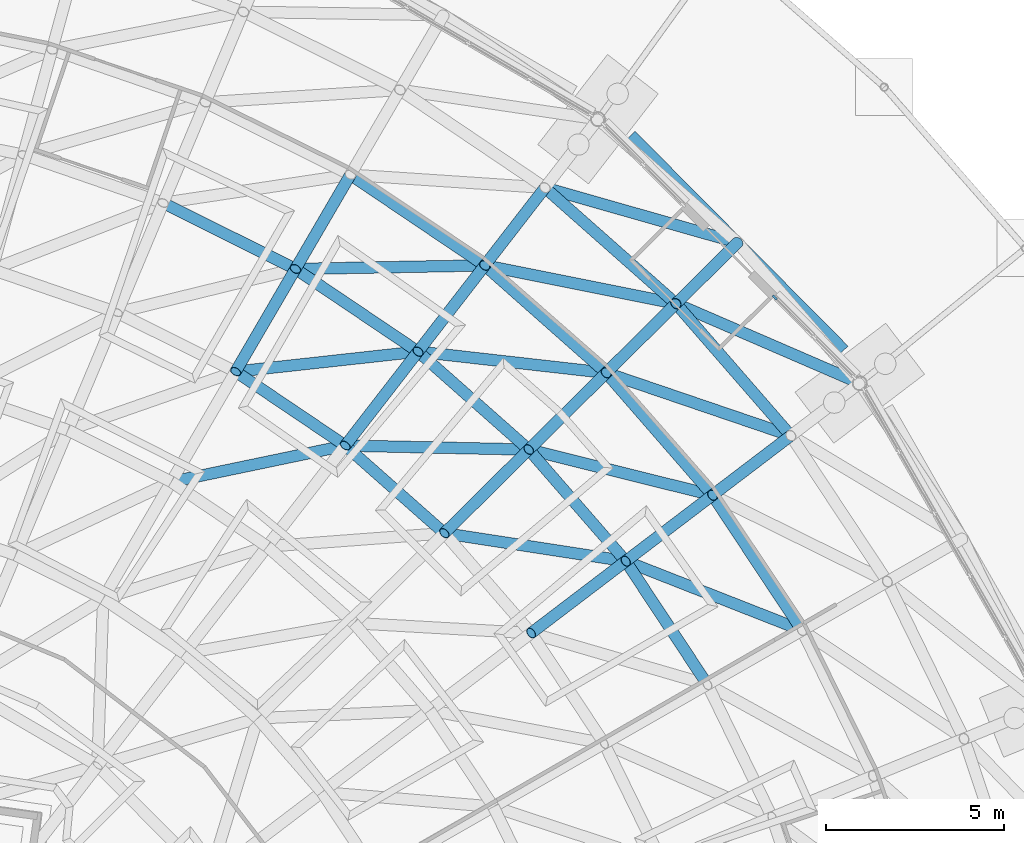
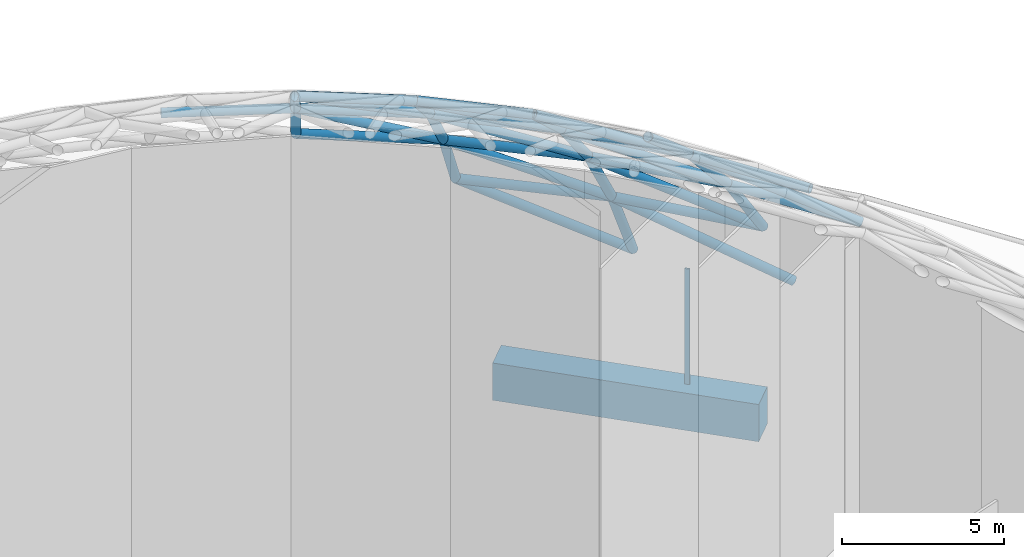
# One storey, part 110 of 226: 38 members, 1 beam, 1 element without a shape of its own.
"""IFC4 building model written with IfcOpenShell, lengths in metres."""

from ifc_helpers import new_model, si_unit, direction, frame, origin, origin_2d, place, context, subcontext, project, spatial, rectangle, hollow_circle, extrude, material, material_profile, profile_set, type_object, element, aggregate, save


model = new_model("IFC4")

# Units and contexts
model_context = context("Model", 3, precision=1e-05, world=origin(), true_north=direction((0.0, 1.0)))
body_context = subcontext(model_context, "Body", "Model", "MODEL_VIEW")
ifc_project = project(units=[si_unit("LENGTHUNIT", "METRE"), si_unit("AREAUNIT", "SQUARE_METRE"), si_unit("VOLUMEUNIT", "CUBIC_METRE"), si_unit("PLANEANGLEUNIT", "RADIAN"), si_unit("MASSUNIT", "GRAM", prefix="KILO")], contexts=[model_context])

# Site, building, storey
site_placement = place(None, origin())
site = spatial("IfcSite", under=ifc_project, at=site_placement, CompositionType="ELEMENT")
building_placement = place(site_placement, origin())
building = spatial("IfcBuilding", under=site, at=building_placement, Name="Ceibo Conservatory and Research Tower", CompositionType="ELEMENT")
storey_placement = place(building_placement, origin())
storey = spatial("IfcBuildingStorey", under=building, at=storey_placement, Name="L00", CompositionType="ELEMENT", Elevation=0.0)

# Members
ifc_material_1 = material(Name="Steel ASTM A500 Gr C", Category="steel")
ifc_material_profile_1 = material_profile(ifc_material_1, hollow_circle(Radius=0.161865234375, WallThickness=0.01025390625, at=origin_2d()), Name="CHS 323.9x10.31")
ifc_profile_set_1 = profile_set([ifc_material_profile_1], Name="Steel ASTM A500 Gr C")
member_type_1 = type_object("IfcMemberType", Name="CHS 323.9x10.31", PredefinedType="NOTDEFINED", material=ifc_profile_set_1)
for number, where, z_axis, x_axis, name in (
    (1, (185.902099609375, 130.738037109375, 8.115966796875), (-0.656151652014, 0.754629054277, 0.0), (-0.754629054277, -0.656151652014, 0.0), "Gridshell member A-C02-05"),
    (2, (182.677978515625, 134.446044921875, 8.115966796875), (-0.748942501444, 0.662634989667, 0.0), (-0.662634989667, -0.748942501444, 0.0), "Gridshell member A-C02-06"),
):
    element("IfcMember", number, at=place(storey_placement, frame(where, z_axis=z_axis, x_axis=x_axis)), inside=storey, type_object=member_type_1, Name=name, PredefinedType="CHORD", context=body_context, shape_type="SweptSolid", body=[
        extrude(hollow_circle(Radius=0.161865234375, WallThickness=0.01025390625, at=origin_2d()), origin(), (0.0, 0.0, 1.0), 4.91357421875),
    ])
member_1_placement = place(storey_placement, frame((186.218017578125, 125.27099609375, 11.489013671875), z_axis=(-0.552011690612, 0.833836370896, 0.0), x_axis=(-0.833836370896, -0.552011690612, 0.0)))
element("IfcMember", 3, at=member_1_placement, inside=storey, type_object=member_type_1, Name="Gridshell member A-C03-04", PredefinedType="CHORD", context=body_context, shape_type="SweptSolid", body=[
    extrude(hollow_circle(Radius=0.161865234375, WallThickness=0.01025390625, at=origin_2d()), origin(), (0.0, 0.0, 1.0), 4.55224609375),
])
for number, where, z_axis, x_axis, name in (
    (4, (183.705078125, 129.06689453125, 11.489013671875), (-0.65607913987, 0.754692097632, 0.0), (-0.754692097632, -0.65607913987, 0.0), "Gridshell member A-C03-05"),
    (5, (180.718017578125, 132.5029296875, 11.489013671875), (-0.748927985579, 0.662651395846, 0.0), (-0.662651395846, -0.748927985579, 0.0), "Gridshell member A-C03-06"),
):
    element("IfcMember", number, at=place(storey_placement, frame(where, z_axis=z_axis, x_axis=x_axis)), inside=storey, type_object=member_type_1, Name=name, PredefinedType="CHORD", context=body_context, shape_type="SweptSolid", body=[
        extrude(hollow_circle(Radius=0.161865234375, WallThickness=0.01025390625, at=origin_2d()), origin(), (0.0, 0.0, 1.0), 4.552978515625),
    ])
member_2_placement = place(storey_placement, frame((177.30810546875, 135.52001953125, 11.489013671875), z_axis=(-0.829018358536, 0.55922138837, 0.0), x_axis=(-0.55922138837, -0.829018358536, 0.0)))
element("IfcMember", 6, at=member_2_placement, inside=storey, type_object=member_type_1, Name="Gridshell member A-C03-07", PredefinedType="CHORD", context=body_context, shape_type="SweptSolid", body=[
    extrude(hollow_circle(Radius=0.161865234375, WallThickness=0.01025390625, at=origin_2d()), origin(), (0.0, 0.0, 1.0), 4.552490234375),
])
member_3_placement = place(storey_placement, frame((183.55908203125, 123.7509765625, 14.591064453125), z_axis=(-0.55190237301, 0.833908730417, 0.0), x_axis=(-0.833908730417, -0.55190237301, 0.0)))
element("IfcMember", 7, at=member_3_placement, inside=storey, type_object=member_type_1, Name="Gridshell member A-C04-04", PredefinedType="CHORD", context=body_context, shape_type="SweptSolid", body=[
    extrude(hollow_circle(Radius=0.161865234375, WallThickness=0.01025390625, at=origin_2d()), origin(), (0.0, 0.0, 1.0), 4.15283203125),
])
member_4_placement = place(storey_placement, frame((181.26708984375, 127.214111328125, 14.591064453125), z_axis=(-0.656053517669, 0.754714371106, 0.0), x_axis=(-0.754714371106, -0.656053517669, 0.0)))
element("IfcMember", 8, at=member_4_placement, inside=storey, type_object=member_type_1, Name="Gridshell member A-C04-05", PredefinedType="CHORD", context=body_context, shape_type="SweptSolid", body=[
    extrude(hollow_circle(Radius=0.161865234375, WallThickness=0.01025390625, at=origin_2d()), origin(), (0.0, 0.0, 1.0), 4.15234375),
])
member_5_placement = place(storey_placement, frame((178.54296875, 130.347900390625, 14.591064453125), z_axis=(-0.748870830018, 0.662715987394, 0.0), x_axis=(-0.662715987394, -0.748870830018, 0.0)))
element("IfcMember", 9, at=member_5_placement, inside=storey, type_object=member_type_1, Name="Gridshell member A-C04-06", PredefinedType="CHORD", context=body_context, shape_type="SweptSolid", body=[
    extrude(hollow_circle(Radius=0.161865234375, WallThickness=0.01025390625, at=origin_2d()), origin(), (0.0, 0.0, 1.0), 4.1513671875),
])
member_6_placement = place(storey_placement, frame((175.43408203125, 133.09912109375, 14.591064453125), z_axis=(-0.829108253131, 0.55908810092, 0.0), x_axis=(-0.55908810092, -0.829108253131, 0.0)))
element("IfcMember", 10, at=member_6_placement, inside=storey, type_object=member_type_1, Name="Gridshell member A-C04-07", PredefinedType="CHORD", context=body_context, shape_type="SweptSolid", body=[
    extrude(hollow_circle(Radius=0.161865234375, WallThickness=0.01025390625, at=origin_2d()), origin(), (0.0, 0.0, 1.0), 4.15283203125),
])
member_7_placement = place(storey_placement, frame((171.990966796875, 135.4208984375, 14.591064453125), z_axis=(-0.895002693577, 0.446060734083, 0.0), x_axis=(-0.446060734083, -0.895002693577, 0.0)))
element("IfcMember", 11, at=member_7_placement, inside=storey, type_object=member_type_1, Name="Gridshell member A-C04-08", PredefinedType="CHORD", context=body_context, shape_type="SweptSolid", body=[
    extrude(hollow_circle(Radius=0.161865234375, WallThickness=0.01025390625, at=origin_2d()), origin(), (0.0, 0.0, 1.0), 4.152099609375),
])
ifc_material_profile_2 = material_profile(ifc_material_1, hollow_circle(Radius=0.161865234375, WallThickness=0.01416015625, at=origin_2d()), Name="CHS 323.9x14.27")
ifc_profile_set_2 = profile_set([ifc_material_profile_2], Name="Steel ASTM A500 Gr C")
member_type_2 = type_object("IfcMemberType", Name="CHS 323.9x14.27", PredefinedType="NOTDEFINED", material=ifc_profile_set_2)
member_8_placement = place(storey_placement, frame((184.406982421875, 136.160888671875, 4.5), z_axis=(-0.396604767338, -0.393356662776, 0.829442701079), x_axis=(0.704193399576, -0.710008208399, 0.0)))
element("IfcMember", 12, at=member_8_placement, inside=storey, type_object=member_type_2, Name="Gridshell member A-M06-01", PredefinedType="RAFTER", context=body_context, shape_type="SweptSolid", body=[
    extrude(hollow_circle(Radius=0.161865234375, WallThickness=0.01416015625, at=origin_2d()), origin(), (0.0, 0.0, 1.0), 4.359619140625),
])
member_9_placement = place(storey_placement, frame((185.902099609375, 130.738037109375, 8.115966796875), z_axis=(-0.504070215337, -0.383416004443, 0.773889776097), x_axis=(0.605406140745, -0.795916707168, 0.0)))
element("IfcMember", 13, at=member_9_placement, inside=storey, type_object=member_type_2, Name="Gridshell member A-M05-02", PredefinedType="RAFTER", context=body_context, shape_type="SweptSolid", body=[
    extrude(hollow_circle(Radius=0.161865234375, WallThickness=0.01416015625, at=origin_2d()), origin(), (0.0, 0.0, 1.0), 4.358642578125),
])
member_10_placement = place(storey_placement, frame((182.677978515625, 134.446044921875, 8.115966796875), z_axis=(-0.449709918767, -0.445844698987, 0.773940238874), x_axis=(0.704048346097, -0.710152044536, 0.0)))
element("IfcMember", 14, at=member_10_placement, inside=storey, type_object=member_type_2, Name="Gridshell member A-M06-02", PredefinedType="RAFTER", context=body_context, shape_type="SweptSolid", body=[
    extrude(hollow_circle(Radius=0.161865234375, WallThickness=0.01416015625, at=origin_2d()), origin(), (0.0, 0.0, 1.0), 4.3583984375),
])
member_11_placement = place(storey_placement, frame((178.998046875, 137.701904296875, 8.115966796875), z_axis=(-0.387760701565, -0.500638166699, 0.773952882523), x_axis=(0.790593844328, -0.612340896323, 0.0)))
element("IfcMember", 15, at=member_11_placement, inside=storey, type_object=member_type_2, Name="Gridshell member A-M07-02", PredefinedType="RAFTER", context=body_context, shape_type="SweptSolid", body=[
    extrude(hollow_circle(Radius=0.161865234375, WallThickness=0.01416015625, at=origin_2d()), origin(), (0.0, 0.0, 1.0), 4.358154296875),
])
member_12_placement = place(storey_placement, frame((183.705078125, 129.06689453125, 11.489013671875), z_axis=(-0.559323004753, -0.425065319755, 0.71167215085), x_axis=(0.605065073587, -0.796176021194, 0.0)))
element("IfcMember", 16, at=member_12_placement, inside=storey, type_object=member_type_2, Name="Gridshell member A-M05-03", PredefinedType="RAFTER", context=body_context, shape_type="SweptSolid", body=[
    extrude(hollow_circle(Radius=0.161865234375, WallThickness=0.01416015625, at=origin_2d()), origin(), (0.0, 0.0, 1.0), 4.35888671875),
])
member_13_placement = place(storey_placement, frame((180.718017578125, 132.5029296875, 11.489013671875), z_axis=(-0.499020526451, -0.494427453921, 0.711702189817), x_axis=(0.703830046188, -0.710368401664, 0.0)))
element("IfcMember", 17, at=member_13_placement, inside=storey, type_object=member_type_2, Name="Gridshell member A-M06-03", PredefinedType="RAFTER", context=body_context, shape_type="SweptSolid", body=[
    extrude(hollow_circle(Radius=0.161865234375, WallThickness=0.01416015625, at=origin_2d()), origin(), (0.0, 0.0, 1.0), 4.358642578125),
])
member_14_placement = place(storey_placement, frame((177.30810546875, 135.52001953125, 11.489013671875), z_axis=(-0.429982152126, -0.55545896567, 0.711744818253), x_axis=(0.790758572385, -0.612128156679, 0.0)))
element("IfcMember", 18, at=member_14_placement, inside=storey, type_object=member_type_2, Name="Gridshell member A-M07-03", PredefinedType="RAFTER", context=body_context, shape_type="SweptSolid", body=[
    extrude(hollow_circle(Radius=0.161865234375, WallThickness=0.01416015625, at=origin_2d()), origin(), (0.0, 0.0, 1.0), 4.3583984375),
])
member_15_placement = place(storey_placement, frame((173.533935546875, 138.06591796875, 11.489013671875), z_axis=(-0.353985034917, -0.606815485489, 0.711666748996), x_axis=(0.863773117464, -0.503880939853, 0.0)))
element("IfcMember", 19, at=member_15_placement, inside=storey, type_object=member_type_2, Name="Gridshell member A-M08-03", PredefinedType="RAFTER", context=body_context, shape_type="SweptSolid", body=[
    extrude(hollow_circle(Radius=0.161865234375, WallThickness=0.01416015625, at=origin_2d()), origin(), (0.0, 0.0, 1.0), 4.35888671875),
])
member_16_placement = place(storey_placement, frame((181.26708984375, 127.214111328125, 14.591064453125), z_axis=(-0.609455026774, -0.463573344816, 0.643167415465), x_axis=(0.605404014509, -0.795918324463, 0.0)))
element("IfcMember", 20, at=member_16_placement, inside=storey, type_object=member_type_2, Name="Gridshell member A-M05-04", PredefinedType="RAFTER", context=body_context, shape_type="SweptSolid", body=[
    extrude(hollow_circle(Radius=0.161865234375, WallThickness=0.01416015625, at=origin_2d()), origin(), (0.0, 0.0, 1.0), 4.359619140625),
])
member_17_placement = place(storey_placement, frame((178.54296875, 130.347900390625, 14.591064453125), z_axis=(-0.543682245677, -0.539089483325, 0.643266775688), x_axis=(0.704101132277, -0.710099708158, 0.0)))
element("IfcMember", 21, at=member_17_placement, inside=storey, type_object=member_type_2, Name="Gridshell member A-M06-04", PredefinedType="RAFTER", context=body_context, shape_type="SweptSolid", body=[
    extrude(hollow_circle(Radius=0.161865234375, WallThickness=0.01416015625, at=origin_2d()), origin(), (0.0, 0.0, 1.0), 4.35888671875),
])
member_18_placement = place(storey_placement, frame((175.43408203125, 133.09912109375, 14.591064453125), z_axis=(-0.468894688422, -0.605368635117, 0.643169174313), x_axis=(0.790583223008, -0.612354609273, 0.0)))
element("IfcMember", 22, at=member_18_placement, inside=storey, type_object=member_type_2, Name="Gridshell member A-M07-04", PredefinedType="RAFTER", context=body_context, shape_type="SweptSolid", body=[
    extrude(hollow_circle(Radius=0.161865234375, WallThickness=0.01416015625, at=origin_2d()), origin(), (0.0, 0.0, 1.0), 4.359619140625),
])
member_19_placement = place(storey_placement, frame((171.990966796875, 135.4208984375, 14.591064453125), z_axis=(-0.385587665754, -0.661519463745, 0.643206149772), x_axis=(0.863948631339, -0.503579946391, 0.0)))
element("IfcMember", 23, at=member_19_placement, inside=storey, type_object=member_type_2, Name="Gridshell member A-M08-04", PredefinedType="RAFTER", context=body_context, shape_type="SweptSolid", body=[
    extrude(hollow_circle(Radius=0.161865234375, WallThickness=0.01416015625, at=origin_2d()), origin(), (0.0, 0.0, 1.0), 4.359375),
])
ifc_material_profile_3 = material_profile(ifc_material_1, hollow_circle(Radius=0.161865234375, WallThickness=0.00634765625, at=origin_2d()), Name="CHS 323.9x6.35")
ifc_profile_set_3 = profile_set([ifc_material_profile_3], Name="Steel ASTM A500 Gr C")
member_type_3 = type_object("IfcMemberType", Name="CHS 323.9x6.35", PredefinedType="NOTDEFINED", material=ifc_profile_set_3)
member_20_placement = place(storey_placement, frame((173.389892578125, 130.4599609375, 17.39501953125), z_axis=(-0.87659739768, -0.18268834766, 0.445198798302), x_axis=(0.204022636451, -0.978966170925, 0.0)))
element("IfcMember", 24, at=member_20_placement, inside=storey, type_object=member_type_3, Name="Gridshell diagonal member A-D05-07", PredefinedType="BRACE", context=body_context, shape_type="SweptSolid", body=[
    extrude(hollow_circle(Radius=0.161865234375, WallThickness=0.00634765625, at=origin_2d()), origin(), (0.0, 0.0, 1.0), 5.57275390625),
])
ifc_material_profile_4 = material_profile(ifc_material_1, hollow_circle(Radius=0.161865234375, WallThickness=0.00830078125, at=origin_2d()), Name="CHS 323.9x8.38")
ifc_profile_set_4 = profile_set([ifc_material_profile_4], Name="Steel ASTM A500 Gr C")
member_type_4 = type_object("IfcMemberType", Name="CHS 323.9x8.38", PredefinedType="NOTDEFINED", material=ifc_profile_set_4)
member_21_placement = place(storey_placement, frame((176.173095703125, 127.998046875, 17.39501953125), z_axis=(-0.749016627526, 0.662551199296, 0.0), x_axis=(-0.662551199296, -0.749016627526, 0.0)))
element("IfcMember", 25, at=member_21_placement, inside=storey, type_object=member_type_4, Name="Gridshell member A-C05-06", PredefinedType="CHORD", context=body_context, shape_type="SweptSolid", body=[
    extrude(hollow_circle(Radius=0.161865234375, WallThickness=0.00830078125, at=origin_2d()), origin(), (0.0, 0.0, 1.0), 3.7158203125),
])
member_22_placement = place(storey_placement, frame((173.389892578125, 130.4599609375, 17.39501953125), z_axis=(-0.82906575216, 0.559151123217, 0.0), x_axis=(-0.559151123217, -0.82906575216, 0.0)))
element("IfcMember", 26, at=member_22_placement, inside=storey, type_object=member_type_4, Name="Gridshell member A-C05-07", PredefinedType="CHORD", context=body_context, shape_type="SweptSolid", body=[
    extrude(hollow_circle(Radius=0.161865234375, WallThickness=0.00830078125, at=origin_2d()), origin(), (0.0, 0.0, 1.0), 3.71484375),
])
member_23_placement = place(storey_placement, frame((187.840087890625, 132.2119140625, 4.5), z_axis=(-0.771979525269, 0.334108240434, 0.540758075519), x_axis=(-0.397190814851, -0.917736049525, 0.0)))
element("IfcMember", 27, at=member_23_placement, inside=storey, type_object=member_type_4, Name="Gridshell diagonal member A-D01-05", PredefinedType="BRACE", context=body_context, shape_type="SweptSolid", body=[
    extrude(hollow_circle(Radius=0.161865234375, WallThickness=0.00830078125, at=origin_2d()), origin(), (0.0, 0.0, 1.0), 6.686767578125),
])
member_24_placement = place(storey_placement, frame((184.406982421875, 136.160888671875, 4.5), z_axis=(-0.808958664772, 0.230473802394, 0.54080283385), x_axis=(-0.273998656317, -0.961730074572, 0.0)))
element("IfcMember", 28, at=member_24_placement, inside=storey, type_object=member_type_4, Name="Gridshell diagonal member A-D01-06", PredefinedType="BRACE", context=body_context, shape_type="SweptSolid", body=[
    extrude(hollow_circle(Radius=0.161865234375, WallThickness=0.00830078125, at=origin_2d()), origin(), (0.0, 0.0, 1.0), 6.686279296875),
])
for number, where, z_axis, x_axis, name in (
    (29, (185.902099609375, 130.738037109375, 8.115966796875), (-0.806018230556, 0.274404529937, 0.524439477883), (-0.322279948392, -0.946644407824, 0.0), "Gridshell diagonal member A-D02-05"),
    (30, (182.677978515625, 134.446044921875, 8.115966796875), (-0.834910913338, 0.166982182668, 0.524443245223), (-0.196116135138, -0.980580675691, 0.0), "Gridshell diagonal member A-D02-06"),
):
    element("IfcMember", number, at=place(storey_placement, frame(where, z_axis=z_axis, x_axis=x_axis)), inside=storey, type_object=member_type_4, Name=name, PredefinedType="BRACE", context=body_context, shape_type="SweptSolid", body=[
        extrude(hollow_circle(Radius=0.161865234375, WallThickness=0.00830078125, at=origin_2d()), origin(), (0.0, 0.0, 1.0), 6.431640625),
    ])
for number, where, z_axis, x_axis, name in (
    (31, (186.218017578125, 125.27099609375, 11.489013671875), (-0.804098246086, 0.315588438316, 0.503815391034), (-0.365344166412, -0.930872515476, 0.0), "Gridshell diagonal member A-D03-04"),
    (32, (183.705078125, 129.06689453125, 11.489013671875), (-0.838386335016, 0.208050184441, 0.503808965792), (-0.24085036784, -0.970562259884, 0.0), "Gridshell diagonal member A-D03-05"),
):
    element("IfcMember", number, at=place(storey_placement, frame(where, z_axis=z_axis, x_axis=x_axis)), inside=storey, type_object=member_type_4, Name=name, PredefinedType="BRACE", context=body_context, shape_type="SweptSolid", body=[
        extrude(hollow_circle(Radius=0.161865234375, WallThickness=0.00830078125, at=origin_2d()), origin(), (0.0, 0.0, 1.0), 6.1572265625),
    ])
member_25_placement = place(storey_placement, frame((180.718017578125, 132.5029296875, 11.489013671875), z_axis=(-0.858318699865, 0.09684490436, 0.503894903686), x_axis=(-0.112119508839, -0.993694729652, 0.0)))
element("IfcMember", 33, at=member_25_placement, inside=storey, type_object=member_type_4, Name="Gridshell diagonal member A-D03-06", PredefinedType="BRACE", context=body_context, shape_type="SweptSolid", body=[
    extrude(hollow_circle(Radius=0.161865234375, WallThickness=0.00830078125, at=origin_2d()), origin(), (0.0, 0.0, 1.0), 6.15625),
])
member_26_placement = place(storey_placement, frame((177.30810546875, 135.52001953125, 11.489013671875), z_axis=(-0.863639618189, -0.016099806464, 0.503852563878), x_axis=(0.018638572589, -0.999826286718, 0.0)))
element("IfcMember", 34, at=member_26_placement, inside=storey, type_object=member_type_4, Name="Gridshell diagonal member A-D03-07", PredefinedType="BRACE", context=body_context, shape_type="SweptSolid", body=[
    extrude(hollow_circle(Radius=0.161865234375, WallThickness=0.00830078125, at=origin_2d()), origin(), (0.0, 0.0, 1.0), 6.15673828125),
])
member_27_placement = place(storey_placement, frame((181.26708984375, 127.214111328125, 14.591064453125), z_axis=(-0.868197122688, 0.13361039832, 0.477893311961), x_axis=(-0.152103458337, -0.988364577452, 0.0)))
element("IfcMember", 35, at=member_27_placement, inside=storey, type_object=member_type_4, Name="Gridshell diagonal member A-D04-05", PredefinedType="BRACE", context=body_context, shape_type="SweptSolid", body=[
    extrude(hollow_circle(Radius=0.161865234375, WallThickness=0.00830078125, at=origin_2d()), origin(), (0.0, 0.0, 1.0), 5.867431640625),
])
member_28_placement = place(storey_placement, frame((178.54296875, 130.347900390625, 14.591064453125), z_axis=(-0.878223167616, 0.019098139666, 0.477869573131), x_axis=(-0.021741199942, -0.999763632178, 0.0)))
element("IfcMember", 36, at=member_28_placement, inside=storey, type_object=member_type_4, Name="Gridshell diagonal member A-D04-06", PredefinedType="BRACE", context=body_context, shape_type="SweptSolid", body=[
    extrude(hollow_circle(Radius=0.161865234375, WallThickness=0.00830078125, at=origin_2d()), origin(), (0.0, 0.0, 1.0), 5.86767578125),
])
member_29_placement = place(storey_placement, frame((175.43408203125, 133.09912109375, 14.591064453125), z_axis=(-0.873211921711, -0.095775388021, 0.47783680774), x_axis=(0.109027876411, -0.994038692489, 0.0)))
element("IfcMember", 37, at=member_29_placement, inside=storey, type_object=member_type_4, Name="Gridshell diagonal member A-D04-07", PredefinedType="BRACE", context=body_context, shape_type="SweptSolid", body=[
    extrude(hollow_circle(Radius=0.161865234375, WallThickness=0.00830078125, at=origin_2d()), origin(), (0.0, 0.0, 1.0), 5.867919921875),
])

# Curtain wall, member
ifc_material_2 = material(Name="Aluminium and glass", Category="aluminium")
curtain_wall_type = type_object("IfcCurtainWallType", Name="Drum curtain wall", PredefinedType="NOTDEFINED", material=ifc_material_2)
curtain_wall_placement = place(storey_placement, origin())
curtain_wall = element("IfcCurtainWall", 38, at=curtain_wall_placement, inside=storey, type_object=curtain_wall_type, Name="Drum curtain wall A-CW03W", PredefinedType="NOTDEFINED")
ifc_material_3 = material(Name="Aluminium", Category="aluminium")
ifc_material_profile_5 = material_profile(ifc_material_3, rectangle(XDim=0.06005859375, YDim=0.159912109375, at=origin_2d()), Name="AL 60x160")
ifc_profile_set_5 = profile_set([ifc_material_profile_5], Name="Aluminium")
member_type_5 = type_object("IfcMemberType", Name="Drum mullion 60x160", PredefinedType="MULLION", material=ifc_profile_set_5)
member_30_placement = place(storey_placement, frame((185.45263671875, 134.6201171875, 0.0), z_axis=(0.0, 0.0, 1.0), x_axis=(-0.71018535052, -0.704014749779, 0.0)))
member_30 = element("IfcMember", 39, at=member_30_placement, type_object=member_type_5, Name="A-CW03W mullion 3", PredefinedType="MULLION", context=body_context, shape_type="SweptSolid", body=[
    extrude(rectangle(XDim=0.06005859375, YDim=0.159912109375, at=origin_2d()), origin(), (0.0, 0.0, 1.0), 4.338134765625),
])
aggregate(curtain_wall, [member_30])

# Beam
ifc_material_4 = material(Name="Concrete C35/45", Category="concrete")
ifc_material_profile_6 = material_profile(ifc_material_4, rectangle(XDim=1.0, YDim=1.39990234375, at=origin_2d()), Name="RC 1000x1400")
ifc_profile_set_6 = profile_set([ifc_material_profile_6], Name="Concrete C35/45")
beam_type = type_object("IfcBeamType", Name="RC ring beam 1000x1400", PredefinedType="BEAM", material=ifc_profile_set_6)
beam_placement = place(storey_placement, frame((187.154052734375, 132.90380859375, -0.699951171875), z_axis=(-0.704009870874, 0.710190187, 0.0), x_axis=(-0.710190187, -0.704009870874, 0.0)))
element("IfcBeam", 40, at=beam_placement, inside=storey, type_object=beam_type, Name="Drum ring beam A-RB03", PredefinedType="BEAM", context=body_context, shape_type="SweptSolid", body=[
    extrude(rectangle(XDim=1.0, YDim=1.39990234375, at=origin_2d()), origin(), (0.0, 0.0, 1.0), 8.4931640625),
])

save(model, "model.ifc")
